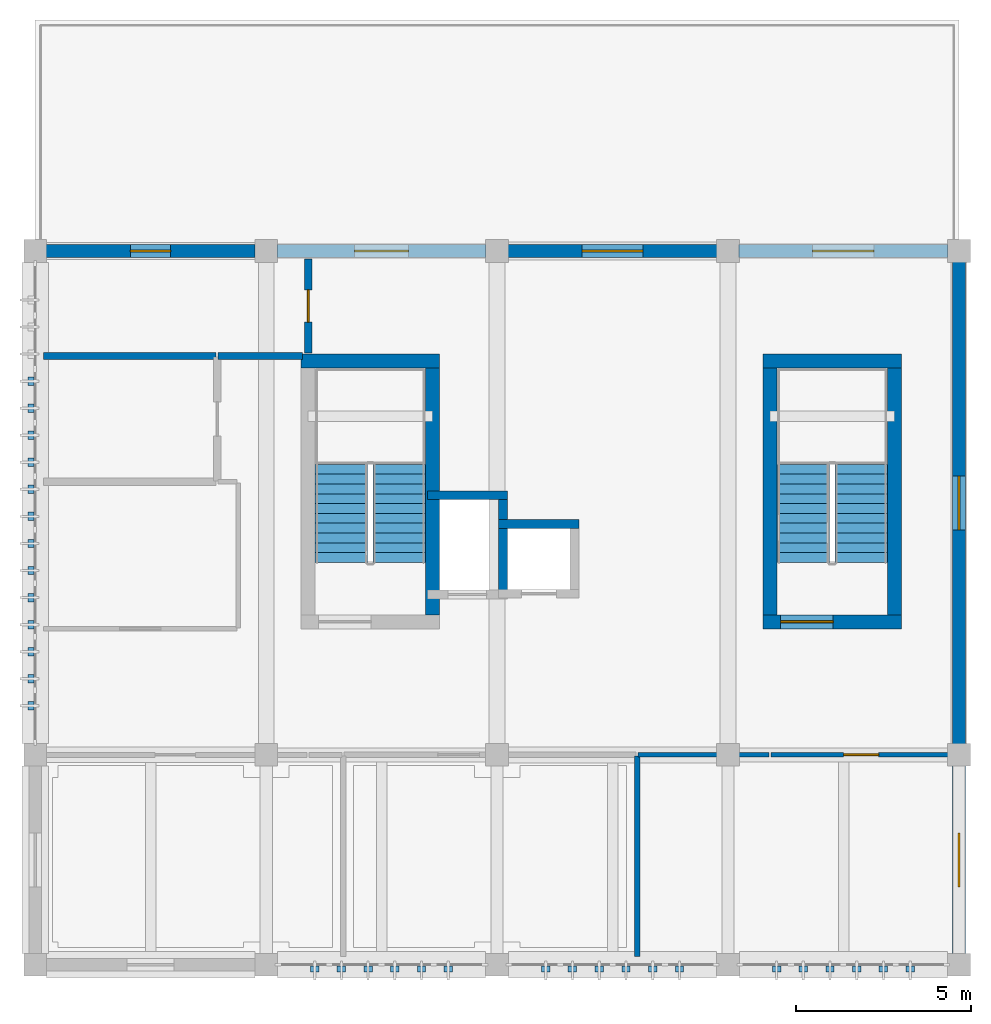
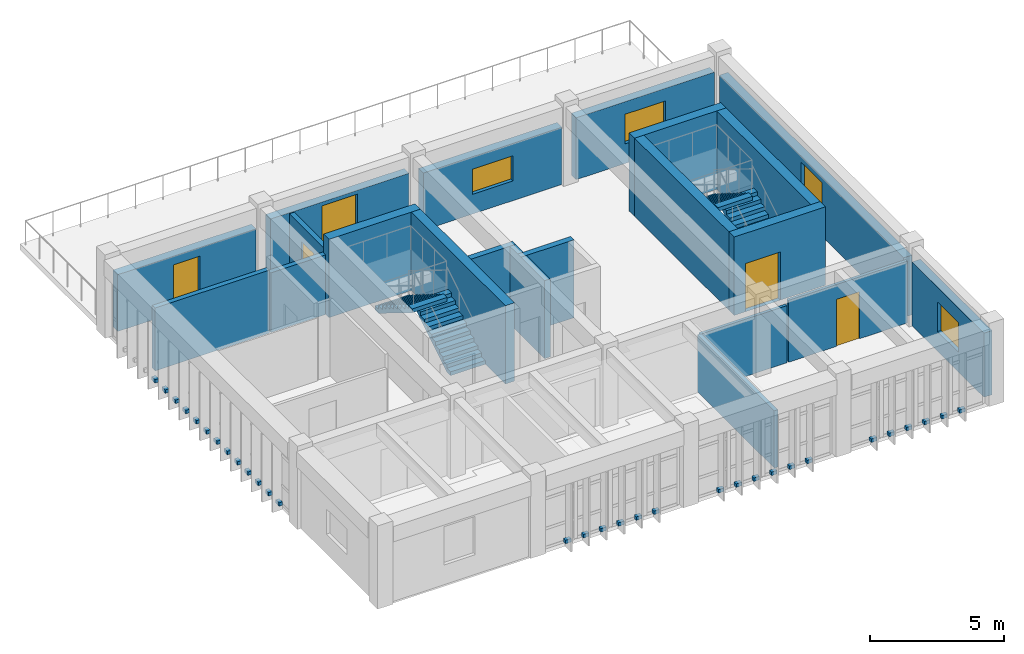
# One storey, part 5 of 8: 31 discrete accessories, 21 walls, 5 windows, 4 doors, 4 stair flights, 9 openings, 2 elements without a shape of their own.
"""IFC4 building model written with IfcOpenShell, lengths in metres."""

from ifc_helpers import new_model, si_unit, direction, frame, frame_2d, origin, origin_2d, place, context, subcontext, project, spatial, polyline, rectangle, outline, extrude, material, layer, layer_set, type_object, element, fill, aggregate, save


model = new_model("IFC4")

# Units and contexts
model_context = context("Model", 3, precision=1e-05, world=origin(), true_north=direction((0.0, 1.0)))
body_context = subcontext(model_context, "Body", "Model", "MODEL_VIEW")
ifc_project = project(units=[si_unit("LENGTHUNIT", "METRE"), si_unit("AREAUNIT", "SQUARE_METRE"), si_unit("VOLUMEUNIT", "CUBIC_METRE"), si_unit("PLANEANGLEUNIT", "RADIAN"), si_unit("MASSUNIT", "GRAM", prefix="KILO")], contexts=[model_context])

# Site, building, storey
site_placement = place(None, origin())
site = spatial("IfcSite", under=ifc_project, at=site_placement, CompositionType="ELEMENT")
building_placement = place(site_placement, origin())
building = spatial("IfcBuilding", under=site, at=building_placement, Name="Miralva Faculty of Natural Sciences", CompositionType="ELEMENT")
storey_placement = place(building_placement, frame((0.0, 0.0, 36.800048828125)))
storey = spatial("IfcBuildingStorey", under=building, at=storey_placement, Name="L08", CompositionType="ELEMENT", Elevation=36.800048828125)

# Walls
ifc_material_1 = material(Name="Concrete C50/60", Category="concrete")
ifc_layer_1 = layer(ifc_material_1, 0.39990234375, Name="WL-CW01")
ifc_layer_set_1 = layer_set([ifc_layer_1], Name="Concrete C50/60")
wall_type_1 = type_object("IfcWallType", Name="WL-CW01", PredefinedType="SHEAR", material=ifc_layer_set_1)
wall_1_placement = place(storey_placement, frame((10.60009765625, 20.25, 0.0), z_axis=(0.0, 0.0, 1.0), x_axis=(1.0, 0.0, 0.0)))
element("IfcWall", 1, at=wall_1_placement, inside=storey, type_object=wall_type_1, Name="Core C1 shear wall north L08", PredefinedType="SHEAR", context=body_context, shape_type="SweptSolid", body=[
    extrude(rectangle(XDim=3.949951171875, YDim=0.39990234375, at=frame_2d((1.97509765625, 0.0))), origin(), (0.0, 0.0, 1.0), 3.579833984375),
])
wall_2_placement = place(storey_placement, frame((14.35009765625, 13.0, 0.0), z_axis=(0.0, 0.0, 1.0), x_axis=(0.0, 1.0, 0.0)))
element("IfcWall", 2, at=wall_2_placement, inside=storey, type_object=wall_type_1, Name="Core C1 shear wall east L08", PredefinedType="SHEAR", context=body_context, shape_type="SweptSolid", body=[
    extrude(rectangle(XDim=7.050048828125, YDim=0.39990234375, at=frame_2d((3.52490234375, 0.0))), origin(), (0.0, 0.0, 1.0), 3.579833984375),
])

# Wall, opening, door
wall_3_placement = place(storey_placement, frame((23.800048828125, 12.800048828125, 0.0), z_axis=(0.0, 0.0, 1.0), x_axis=(1.0, 0.0, 0.0)))
wall_3 = element("IfcWall", 3, at=wall_3_placement, inside=storey, type_object=wall_type_1, Name="Core C1B shear wall south L08", PredefinedType="SHEAR", context=body_context, shape_type="SweptSolid", body=[
    extrude(rectangle(XDim=3.949951171875, YDim=0.39990234375, at=frame_2d((1.97509765625, 0.0))), origin(), (0.0, 0.0, 1.0), 3.579833984375),
])
opening_1_placement = place(wall_3_placement, frame((0.5, 0.0, 0.0)))
opening_1 = element("IfcOpeningElement", 4, at=opening_1_placement, cuts=wall_3, Name="Opening D-11", PredefinedType="OPENING", context=body_context, shape_type="SweptSolid", body=[
    extrude(rectangle(XDim=1.5, YDim=2.199951171875, at=frame_2d((0.75, 1.10009765625))), frame((0.0, 0.2099609375, 0.0), z_axis=(0.0, -1.0, 0.0), x_axis=(1.0, 0.0, 0.0)), (0.0, 0.0, 1.0), 0.419921875),
])
ifc_material_2 = material(Name="Galvanised steel", Category="steel")
door_type_1 = type_object("IfcDoorType", Name="DR-DI11", OperationType="DOUBLE_DOOR_SINGLE_SWING", PredefinedType="DOOR", material=ifc_material_2)
door_1_placement = place(opening_1_placement, frame((1.5, 0.0, 0.0), z_axis=(0.0, 0.0, 1.0), x_axis=(-1.0, 0.0, 0.0)))
door_1 = element("IfcDoor", 5, at=door_1_placement, inside=storey, type_object=door_type_1, Name="Protected exit stair door Core C1B L08", OperationType="DOUBLE_DOOR_SINGLE_SWING", OverallHeight=2.199951171875, OverallWidth=1.5, PredefinedType="DOOR", context=body_context, shape_type="SweptSolid", body=[
    extrude(rectangle(XDim=1.5, YDim=2.199951171875, at=frame_2d((0.75, 1.10009765625))), frame((0.0, 0.02490234375, 0.0), z_axis=(0.0, -1.0, 0.0), x_axis=(1.0, 0.0, 0.0)), (0.0, 0.0, 1.0), 0.050048828125),
])
fill(opening_1, door_1)

# Walls
wall_4_placement = place(storey_placement, frame((23.800048828125, 20.25, 0.0), z_axis=(0.0, 0.0, 1.0), x_axis=(1.0, 0.0, 0.0)))
element("IfcWall", 6, at=wall_4_placement, inside=storey, type_object=wall_type_1, Name="Core C1B shear wall north L08", PredefinedType="SHEAR", context=body_context, shape_type="SweptSolid", body=[
    extrude(rectangle(XDim=3.949951171875, YDim=0.39990234375, at=frame_2d((1.97509765625, 0.0))), origin(), (0.0, 0.0, 1.0), 3.579833984375),
])
for number, where, z_axis, x_axis, name in (
    (7, (24.0, 13.0, 0.0), (0.0, 0.0, 1.0), (0.0, 1.0, 0.0), "Core C1B shear wall west L08"),
    (8, (27.550048828125, 13.0, 0.0), (0.0, 0.0, 1.0), (0.0, 1.0, 0.0), "Core C1B shear wall east L08"),
):
    element("IfcWall", number, at=place(storey_placement, frame(where, z_axis=z_axis, x_axis=x_axis)), inside=storey, type_object=wall_type_1, Name=name, PredefinedType="SHEAR", context=body_context, shape_type="SweptSolid", body=[
        extrude(rectangle(XDim=7.050048828125, YDim=0.39990234375, at=frame_2d((3.52490234375, 0.0))), origin(), (0.0, 0.0, 1.0), 3.579833984375),
    ])
ifc_material_3 = material(Name="Concrete C40/50", Category="concrete")
ifc_layer_2 = layer(ifc_material_3, 0.25, Name="WL-CW04")
ifc_layer_set_2 = layer_set([ifc_layer_2], Name="Concrete C40/50")
wall_type_2 = type_object("IfcWallType", Name="WL-CW04", PredefinedType="SHEAR", material=ifc_layer_set_2)
wall_5_placement = place(storey_placement, frame((14.205078125, 16.419921875, 0.0), z_axis=(0.0, 0.0, 1.0), x_axis=(1.0, 0.0, 0.0)))
element("IfcWall", 9, at=wall_5_placement, inside=storey, type_object=wall_type_2, Name="Lift L-01 hoistway rear wall L08", PredefinedType="SHEAR", context=body_context, shape_type="SweptSolid", body=[
    extrude(rectangle(XDim=2.2900390625, YDim=0.25, at=frame_2d((1.14501953125, 0.0))), origin(), (0.0, 0.0, 1.0), 3.56005859375),
])
wall_6_placement = place(storey_placement, frame((16.3701171875, 13.705078125, 0.0), z_axis=(0.0, 0.0, 1.0), x_axis=(0.0, 1.0, 0.0)))
element("IfcWall", 10, at=wall_6_placement, inside=storey, type_object=wall_type_2, Name="Lift L-01 hoistway E wall L08", PredefinedType="SHEAR", context=body_context, shape_type="SweptSolid", body=[
    extrude(rectangle(XDim=2.58984375, YDim=0.25, at=frame_2d((1.294921875, 0.0))), origin(), (0.0, 0.0, 1.0), 3.56005859375),
])
wall_7_placement = place(storey_placement, frame((16.2451171875, 15.594970703125, 0.0), z_axis=(0.0, 0.0, 1.0), x_axis=(1.0, 0.0, 0.0)))
element("IfcWall", 11, at=wall_7_placement, inside=storey, type_object=wall_type_2, Name="Lift L-02 hoistway rear wall L08", PredefinedType="SHEAR", context=body_context, shape_type="SweptSolid", body=[
    extrude(rectangle(XDim=2.289794921875, YDim=0.25, at=frame_2d((1.14501953125, 0.0))), origin(), (0.0, 0.0, 1.0), 3.56005859375),
])
ifc_material_4 = material(Name="Gypsum plasterboard")
ifc_layer_3 = layer(ifc_material_4, 0.159912109375, Name="WL-PT03")
ifc_layer_set_3 = layer_set([ifc_layer_3], Name="Gypsum plasterboard")
wall_type_3 = type_object("IfcWallType", Name="WL-PT03", PredefinedType="PARTITIONING", material=ifc_layer_set_3)
wall_8_placement = place(storey_placement, frame((20.199951171875, 3.22998046875, 0.0), z_axis=(0.0, 0.0, 1.0), x_axis=(0.0, 1.0, 0.0)))
element("IfcWall", 12, at=wall_8_placement, inside=storey, type_object=wall_type_3, Name="Interior partition PT-03 L08-530", PredefinedType="PARTITIONING", context=body_context, shape_type="SweptSolid", body=[
    extrude(rectangle(XDim=5.739990234375, YDim=0.159912109375, at=frame_2d((2.8701171875, 0.0))), origin(), (0.0, 0.0, 1.0), 2.614990234375),
])

# Wall, opening, door
ifc_layer_4 = layer(ifc_material_4, 0.125, Name="WL-PT05")
ifc_layer_set_4 = layer_set([ifc_layer_4], Name="Gypsum plasterboard")
wall_type_4 = type_object("IfcWallType", Name="WL-PT05", PredefinedType="PARTITIONING", material=ifc_layer_set_4)
wall_9_placement = place(storey_placement, frame((24.030029296875, 9.0, 0.0), z_axis=(0.0, 0.0, 1.0), x_axis=(1.0, 0.0, 0.0)))
wall_9 = element("IfcWall", 13, at=wall_9_placement, inside=storey, type_object=wall_type_4, Name="Interior partition PT-05 L08-532", PredefinedType="PARTITIONING", context=body_context, shape_type="SweptSolid", body=[
    extrude(rectangle(XDim=5.139892578125, YDim=0.125, at=frame_2d((2.56982421875, 0.0))), origin(), (0.0, 0.0, 1.0), 2.824951171875),
])
opening_2_placement = place(wall_9_placement, frame((2.070068359375, 0.0, 0.0)))
opening_2 = element("IfcOpeningElement", 14, at=opening_2_placement, cuts=wall_9, Name="Opening D-25", PredefinedType="OPENING", context=body_context, shape_type="SweptSolid", body=[
    extrude(rectangle(XDim=1.0, YDim=2.14990234375, at=frame_2d((0.5, 1.074951171875))), frame((0.0, 0.072509765625, 0.0), z_axis=(0.0, -1.0, 0.0), x_axis=(1.0, 0.0, 0.0)), (0.0, 0.0, 1.0), 0.14501953125),
])
ifc_material_5 = material(Name="Anodised aluminium", Category="aluminium")
door_type_2 = type_object("IfcDoorType", Name="DR-DI25", OperationType="NOTDEFINED", PredefinedType="DOOR", material=ifc_material_5)
door_2_placement = place(opening_2_placement, origin())
door_2 = element("IfcDoor", 15, at=door_2_placement, inside=storey, type_object=door_type_2, Name="Interior door D-25 L08-200", OperationType="SINGLE_SWING_RIGHT", OverallHeight=2.14990234375, OverallWidth=1.0, PredefinedType="DOOR", context=body_context, shape_type="SweptSolid", body=[
    extrude(rectangle(XDim=1.0, YDim=2.14990234375, at=frame_2d((0.5, 1.074951171875))), frame((0.0, 0.02490234375, 0.0), z_axis=(0.0, -1.0, 0.0), x_axis=(1.0, 0.0, 0.0)), (0.0, 0.0, 1.0), 0.050048828125),
])
fill(opening_2, door_2)

# Walls
wall_10_placement = place(storey_placement, frame((20.22998046875, 9.0, 0.0), z_axis=(0.0, 0.0, 1.0), x_axis=(1.0, 0.0, 0.0)))
element("IfcWall", 16, at=wall_10_placement, inside=storey, type_object=wall_type_4, Name="Interior partition PT-05 L08-533", PredefinedType="PARTITIONING", context=body_context, shape_type="SweptSolid", body=[
    extrude(rectangle(XDim=3.739990234375, YDim=0.125, at=frame_2d((1.8701171875, 0.0))), origin(), (0.0, 0.0, 1.0), 2.614990234375),
])
ifc_layer_5 = layer(ifc_material_4, 0.2099609375, Name="WL-PT06")
ifc_layer_set_5 = layer_set([ifc_layer_5], Name="Gypsum plasterboard")
wall_type_5 = type_object("IfcWallType", Name="WL-PT06", PredefinedType="PLUMBINGWALL", material=ifc_layer_set_5)
wall_11_placement = place(storey_placement, frame((3.22998046875, 20.39990234375, 0.0), z_axis=(0.0, 0.0, 1.0), x_axis=(1.0, 0.0, 0.0)))
element("IfcWall", 17, at=wall_11_placement, inside=storey, type_object=wall_type_5, Name="Interior partition PT-06 L08-538", PredefinedType="PLUMBINGWALL", context=body_context, shape_type="SweptSolid", body=[
    extrude(rectangle(XDim=4.93994140625, YDim=0.2099609375, at=frame_2d((2.469970703125, 0.0))), origin(), (0.0, 0.0, 1.0), 2.875),
])
wall_12_placement = place(storey_placement, frame((8.22998046875, 20.39990234375, 0.0), z_axis=(0.0, 0.0, 1.0), x_axis=(1.0, 0.0, 0.0)))
element("IfcWall", 18, at=wall_12_placement, inside=storey, type_object=wall_type_5, Name="Interior partition PT-06 L08-540", PredefinedType="PLUMBINGWALL", context=body_context, shape_type="SweptSolid", body=[
    extrude(rectangle(XDim=2.407958984375, YDim=0.2099609375, at=frame_2d((1.2041015625, 0.0))), origin(), (0.0, 0.0, 1.0), 2.724853515625),
])

# Wall, opening, door
wall_13_placement = place(storey_placement, frame((10.800048828125, 20.47998046875, 0.0), z_axis=(0.0, 0.0, 1.0), x_axis=(0.0, 1.0, 0.0)))
wall_13 = element("IfcWall", 19, at=wall_13_placement, inside=storey, type_object=wall_type_5, Name="Interior partition PT-06 L08-541", PredefinedType="PLUMBINGWALL", context=body_context, shape_type="SweptSolid", body=[
    extrude(rectangle(XDim=2.68994140625, YDim=0.2099609375, at=frame_2d((1.344970703125, 0.0))), origin(), (0.0, 0.0, 1.0), 2.824951171875),
])
opening_3_placement = place(wall_13_placement, frame((0.885009765625, 0.0, 0.0)))
opening_3 = element("IfcOpeningElement", 20, at=opening_3_placement, cuts=wall_13, Name="Opening D-27", PredefinedType="OPENING", context=body_context, shape_type="SweptSolid", body=[
    extrude(rectangle(XDim=0.919921875, YDim=2.10009765625, at=frame_2d((0.4599609375, 1.050048828125))), frame((0.0, 0.114990234375, 0.0), z_axis=(0.0, -1.0, 0.0), x_axis=(1.0, 0.0, 0.0)), (0.0, 0.0, 1.0), 0.22998046875),
])
door_type_3 = type_object("IfcDoorType", Name="DR-DI27", OperationType="NOTDEFINED", PredefinedType="DOOR", material=ifc_material_5)
door_3_placement = place(opening_3_placement, origin())
door_3 = element("IfcDoor", 21, at=door_3_placement, inside=storey, type_object=door_type_3, Name="Interior door D-27 L08-203", OperationType="SINGLE_SWING_LEFT", OverallHeight=2.10009765625, OverallWidth=0.919921875, PredefinedType="DOOR", context=body_context, shape_type="SweptSolid", body=[
    extrude(rectangle(XDim=0.919921875, YDim=2.10009765625, at=frame_2d((0.4599609375, 1.050048828125))), frame((0.0, 0.02490234375, 0.0), z_axis=(0.0, -1.0, 0.0), x_axis=(1.0, 0.0, 0.0)), (0.0, 0.0, 1.0), 0.050048828125),
])
fill(opening_3, door_3)

# Wall, opening, window
ifc_material_6 = material(Name="Volcanic tuff architectural stone", Category="masonry")
ifc_layer_6 = layer(ifc_material_6, 0.360107421875, Name="WL-WT01")
ifc_layer_set_6 = layer_set([ifc_layer_6], Name="Volcanic tuff architectural stone")
wall_type_6 = type_object("IfcWallType", Name="WL-WT01", PredefinedType="SOLIDWALL", material=ifc_layer_set_6)
wall_14_placement = place(storey_placement, frame((29.39990234375, 3.304931640625, 0.0), z_axis=(0.0, 0.0, 1.0), x_axis=(0.0, 1.0, 0.0)))
wall_14 = element("IfcWall", 22, at=wall_14_placement, inside=storey, type_object=wall_type_6, Name="Exterior wall L08-128", PredefinedType="SOLIDWALL", context=body_context, shape_type="SweptSolid", body=[
    extrude(rectangle(XDim=5.380126953125, YDim=0.360107421875, at=frame_2d((2.68994140625, 0.0))), origin(), (0.0, 0.0, 1.0), 2.925048828125),
])
opening_4_placement = place(wall_14_placement, frame((1.9150390625, 0.0, 0.89990234375)))
opening_4 = element("IfcOpeningElement", 23, at=opening_4_placement, cuts=wall_14, Name="Opening W-58", PredefinedType="OPENING", context=body_context, shape_type="SweptSolid", body=[
    extrude(rectangle(XDim=1.550048828125, YDim=1.35009765625, at=frame_2d((0.77490234375, 0.675048828125))), frame((0.0, 0.18994140625, 0.0), z_axis=(0.0, -1.0, 0.0), x_axis=(1.0, 0.0, 0.0)), (0.0, 0.0, 1.0), 0.380126953125),
])
ifc_material_7 = material(Name="Laminated solar-control glass", Category="glass")
window_type_1 = type_object("IfcWindowType", Name="WN-W58", PartitioningType="DOUBLE_PANEL_VERTICAL", PredefinedType="WINDOW", material=ifc_material_7)
window_1_placement = place(opening_4_placement, frame((1.550048828125, 0.0, 0.0), z_axis=(0.0, 0.0, 1.0), x_axis=(-1.0, 0.0, 0.0)))
window_1 = element("IfcWindow", 24, at=window_1_placement, inside=storey, type_object=window_type_1, Name="Window W-58 L08-72", OverallHeight=1.35009765625, OverallWidth=1.550048828125, PartitioningType="DOUBLE_PANEL_VERTICAL", PredefinedType="WINDOW", context=body_context, shape_type="SweptSolid", body=[
    extrude(rectangle(XDim=1.550048828125, YDim=1.35009765625, at=frame_2d((0.77490234375, 0.675048828125))), frame((0.0, 0.030029296875, 0.0), z_axis=(0.0, -1.0, 0.0), x_axis=(1.0, 0.0, 0.0)), (0.0, 0.0, 1.0), 0.06005859375),
])
fill(opening_4, window_1)

wall_15_placement = place(storey_placement, frame((29.39990234375, 9.31494140625, 0.0), z_axis=(0.0, 0.0, 1.0), x_axis=(0.0, 1.0, 0.0)))
wall_15 = element("IfcWall", 25, at=wall_15_placement, inside=storey, type_object=wall_type_6, Name="Exterior wall L08-129", PredefinedType="SOLIDWALL", context=body_context, shape_type="SweptSolid", body=[
    extrude(rectangle(XDim=13.77001953125, YDim=0.360107421875, at=frame_2d((6.885009765625, 0.0))), origin(), (0.0, 0.0, 1.0), 2.724853515625),
])
opening_5_placement = place(wall_15_placement, frame((6.110107421875, 0.0, 0.89990234375)))
opening_5 = element("IfcOpeningElement", 26, at=opening_5_placement, cuts=wall_15, Name="Opening W-59", PredefinedType="OPENING", context=body_context, shape_type="SweptSolid", body=[
    extrude(rectangle(XDim=1.550048828125, YDim=1.550048828125, at=frame_2d((0.77490234375, 0.77490234375))), frame((0.0, 0.18994140625, 0.0), z_axis=(0.0, -1.0, 0.0), x_axis=(1.0, 0.0, 0.0)), (0.0, 0.0, 1.0), 0.380126953125),
])
window_type_2 = type_object("IfcWindowType", Name="WN-W59", PartitioningType="DOUBLE_PANEL_VERTICAL", PredefinedType="WINDOW", material=ifc_material_7)
window_2_placement = place(opening_5_placement, frame((1.550048828125, 0.0, 0.0), z_axis=(0.0, 0.0, 1.0), x_axis=(-1.0, 0.0, 0.0)))
window_2 = element("IfcWindow", 27, at=window_2_placement, inside=storey, type_object=window_type_2, Name="Window W-59 L08-73", OverallHeight=1.550048828125, OverallWidth=1.550048828125, PartitioningType="DOUBLE_PANEL_VERTICAL", PredefinedType="WINDOW", context=body_context, shape_type="SweptSolid", body=[
    extrude(rectangle(XDim=1.550048828125, YDim=1.550048828125, at=frame_2d((0.77490234375, 0.77490234375))), frame((0.0, 0.030029296875, 0.0), z_axis=(0.0, -1.0, 0.0), x_axis=(1.0, 0.0, 0.0)), (0.0, 0.0, 1.0), 0.06005859375),
])
fill(opening_5, window_2)

# Wall, opening, door
wall_16_placement = place(storey_placement, frame((3.304931640625, 23.39990234375, 0.0), z_axis=(0.0, 0.0, 1.0), x_axis=(1.0, 0.0, 0.0)))
wall_16 = element("IfcWall", 28, at=wall_16_placement, inside=storey, type_object=wall_type_6, Name="Exterior wall L08-130", PredefinedType="SOLIDWALL", context=body_context, shape_type="SweptSolid", body=[
    extrude(rectangle(XDim=5.97998046875, YDim=0.360107421875, at=frame_2d((2.989990234375, 0.0))), origin(), (0.0, 0.0, 1.0), 2.594970703125),
])
opening_6_placement = place(wall_16_placement, frame((2.4150390625, 0.0, 0.0)))
opening_6 = element("IfcOpeningElement", 29, at=opening_6_placement, cuts=wall_16, Name="Opening D-05", PredefinedType="OPENING", context=body_context, shape_type="SweptSolid", body=[
    extrude(rectangle(XDim=1.14990234375, YDim=2.199951171875, at=frame_2d((0.574951171875, 1.10009765625))), frame((0.0, 0.18994140625, 0.0), z_axis=(0.0, -1.0, 0.0), x_axis=(1.0, 0.0, 0.0)), (0.0, 0.0, 1.0), 0.380126953125),
])
door_type_4 = type_object("IfcDoorType", Name="DR-DE05", OperationType="NOTDEFINED", PredefinedType="DOOR", material=ifc_material_5)
door_4_placement = place(opening_6_placement, origin())
door_4 = element("IfcDoor", 30, at=door_4_placement, inside=storey, type_object=door_type_4, Name="Exterior pedestrian exit door D-05 L08-13", OperationType="SINGLE_SWING_RIGHT", OverallHeight=2.199951171875, OverallWidth=1.14990234375, PredefinedType="DOOR", context=body_context, shape_type="SweptSolid", body=[
    extrude(rectangle(XDim=1.14990234375, YDim=2.199951171875, at=frame_2d((0.574951171875, 1.10009765625))), frame((0.0, 0.02490234375, 0.0), z_axis=(0.0, -1.0, 0.0), x_axis=(1.0, 0.0, 0.0)), (0.0, 0.0, 1.0), 0.050048828125),
])
fill(opening_6, door_4)

# Wall, opening, window
wall_17_placement = place(storey_placement, frame((9.905029296875, 23.39990234375, 0.0), z_axis=(0.0, 0.0, 1.0), x_axis=(1.0, 0.0, 0.0)))
wall_17 = element("IfcWall", 31, at=wall_17_placement, inside=storey, type_object=wall_type_6, Name="Exterior wall L08-131", PredefinedType="SOLIDWALL", context=body_context, shape_type="SweptSolid", body=[
    extrude(rectangle(XDim=5.97998046875, YDim=0.360107421875, at=frame_2d((2.989990234375, 0.0))), origin(), (0.0, 0.0, 1.0), 2.824951171875),
])
opening_7_placement = place(wall_17_placement, frame((2.215087890625, 0.0, 0.89990234375)))
opening_7 = element("IfcOpeningElement", 32, at=opening_7_placement, cuts=wall_17, Name="Opening W-60", PredefinedType="OPENING", context=body_context, shape_type="SweptSolid", body=[
    extrude(rectangle(XDim=1.550048828125, YDim=1.75, at=frame_2d((0.77490234375, 0.875))), frame((0.0, 0.18994140625, 0.0), z_axis=(0.0, -1.0, 0.0), x_axis=(1.0, 0.0, 0.0)), (0.0, 0.0, 1.0), 0.380126953125),
])
window_type_3 = type_object("IfcWindowType", Name="WN-W60", PartitioningType="DOUBLE_PANEL_VERTICAL", PredefinedType="WINDOW", material=ifc_material_7)
window_3_placement = place(opening_7_placement, origin())
window_3 = element("IfcWindow", 33, at=window_3_placement, inside=storey, type_object=window_type_3, Name="Window W-60 L08-74", OverallHeight=1.75, OverallWidth=1.550048828125, PartitioningType="DOUBLE_PANEL_VERTICAL", PredefinedType="WINDOW", context=body_context, shape_type="SweptSolid", body=[
    extrude(rectangle(XDim=1.550048828125, YDim=1.75, at=frame_2d((0.77490234375, 0.875))), frame((0.0, 0.030029296875, 0.0), z_axis=(0.0, -1.0, 0.0), x_axis=(1.0, 0.0, 0.0)), (0.0, 0.0, 1.0), 0.06005859375),
])
fill(opening_7, window_3)

wall_18_placement = place(storey_placement, frame((16.5048828125, 23.39990234375, 0.0), z_axis=(0.0, 0.0, 1.0), x_axis=(1.0, 0.0, 0.0)))
wall_18 = element("IfcWall", 34, at=wall_18_placement, inside=storey, type_object=wall_type_6, Name="Exterior wall L08-132", PredefinedType="SOLIDWALL", context=body_context, shape_type="SweptSolid", body=[
    extrude(rectangle(XDim=5.990234375, YDim=0.360107421875, at=frame_2d((2.9951171875, 0.0))), origin(), (0.0, 0.0, 1.0), 2.614990234375),
])
opening_8_placement = place(wall_18_placement, frame((2.1201171875, 0.0, 0.89990234375)))
opening_8 = element("IfcOpeningElement", 35, at=opening_8_placement, cuts=wall_18, Name="Opening W-61", PredefinedType="OPENING", context=body_context, shape_type="SweptSolid", body=[
    extrude(rectangle(XDim=1.75, YDim=1.14990234375, at=frame_2d((0.875, 0.574951171875))), frame((0.0, 0.18994140625, 0.0), z_axis=(0.0, -1.0, 0.0), x_axis=(1.0, 0.0, 0.0)), (0.0, 0.0, 1.0), 0.380126953125),
])
window_type_4 = type_object("IfcWindowType", Name="WN-W61", PartitioningType="DOUBLE_PANEL_VERTICAL", PredefinedType="WINDOW", material=ifc_material_7)
window_4_placement = place(opening_8_placement, origin())
window_4 = element("IfcWindow", 36, at=window_4_placement, inside=storey, type_object=window_type_4, Name="Window W-61 L08-75", OverallHeight=1.14990234375, OverallWidth=1.75, PartitioningType="DOUBLE_PANEL_VERTICAL", PredefinedType="WINDOW", context=body_context, shape_type="SweptSolid", body=[
    extrude(rectangle(XDim=1.75, YDim=1.14990234375, at=frame_2d((0.875, 0.574951171875))), frame((0.0, 0.030029296875, 0.0), z_axis=(0.0, -1.0, 0.0), x_axis=(1.0, 0.0, 0.0)), (0.0, 0.0, 1.0), 0.06005859375),
])
fill(opening_8, window_4)

wall_19_placement = place(storey_placement, frame((23.10498046875, 23.39990234375, 0.0), z_axis=(0.0, 0.0, 1.0), x_axis=(1.0, 0.0, 0.0)))
wall_19 = element("IfcWall", 37, at=wall_19_placement, inside=storey, type_object=wall_type_6, Name="Exterior wall L08-133", PredefinedType="SOLIDWALL", context=body_context, shape_type="SweptSolid", body=[
    extrude(rectangle(XDim=5.97998046875, YDim=0.360107421875, at=frame_2d((2.989990234375, 0.0))), origin(), (0.0, 0.0, 1.0), 2.824951171875),
])
opening_9_placement = place(wall_19_placement, frame((2.114990234375, 0.0, 0.89990234375)))
opening_9 = element("IfcOpeningElement", 38, at=opening_9_placement, cuts=wall_19, Name="Opening W-62", PredefinedType="OPENING", context=body_context, shape_type="SweptSolid", body=[
    extrude(rectangle(XDim=1.75, YDim=1.35009765625, at=frame_2d((0.875, 0.675048828125))), frame((0.0, 0.18994140625, 0.0), z_axis=(0.0, -1.0, 0.0), x_axis=(1.0, 0.0, 0.0)), (0.0, 0.0, 1.0), 0.380126953125),
])
window_type_5 = type_object("IfcWindowType", Name="WN-W62", PartitioningType="DOUBLE_PANEL_VERTICAL", PredefinedType="WINDOW", material=ifc_material_7)
window_5_placement = place(opening_9_placement, origin())
window_5 = element("IfcWindow", 39, at=window_5_placement, inside=storey, type_object=window_type_5, Name="Window W-62 L08-76", OverallHeight=1.35009765625, OverallWidth=1.75, PartitioningType="DOUBLE_PANEL_VERTICAL", PredefinedType="WINDOW", context=body_context, shape_type="SweptSolid", body=[
    extrude(rectangle(XDim=1.75, YDim=1.35009765625, at=frame_2d((0.875, 0.675048828125))), frame((0.0, 0.030029296875, 0.0), z_axis=(0.0, -1.0, 0.0), x_axis=(1.0, 0.0, 0.0)), (0.0, 0.0, 1.0), 0.06005859375),
])
fill(opening_9, window_5)

# Stair, stair flights
stair_type = type_object("IfcStairType", Name="ST-CORE-380", PredefinedType="HALF_TURN_STAIR", material=ifc_material_3)
stair_1_placement = place(storey_placement, origin())
stair_1 = element("IfcStair", 40, at=stair_1_placement, inside=storey, type_object=stair_type, Name="Exit Stair Core C1 (ST-04) L08", PredefinedType="HALF_TURN_STAIR")
ifc_layer_7 = layer(ifc_material_3, 0.159912109375, Name="SFL-160-172")
ifc_layer_set_7 = layer_set([ifc_layer_7], Name="Concrete C40/50")
stair_flight_type = type_object("IfcStairFlightType", Name="SFL-160-172", PredefinedType="STRAIGHT", material=ifc_layer_set_7)
stair_flight_1_placement = place(storey_placement, frame((13.39990234375, 14.5, 0.0), z_axis=(0.0, 0.0, 1.0), x_axis=(0.0, 1.0, 0.0)))
stair_flight_1 = element("IfcStairFlight", 41, at=stair_flight_1_placement, type_object=stair_flight_type, Name="ST-04 flight 1", NumberOfRisers=11, NumberOfTreads=10, PredefinedType="STRAIGHT", RiserHeight=0.172727273, TreadLength=0.28, context=body_context, shape_type="SweptSolid", body=[
    extrude(outline(polyline([(0.0, 0.0), (0.0, 0.172607421875), (0.280029296875, 0.172607421875), (0.280029296875, 0.345458984375), (0.56005859375, 0.345458984375), (0.56005859375, 0.51806640625), (0.840087890625, 0.51806640625), (0.840087890625, 0.69091796875), (1.1201171875, 0.69091796875), (1.1201171875, 0.863525390625), (1.39990234375, 0.863525390625), (1.39990234375, 1.036376953125), (1.679931640625, 1.036376953125), (1.679931640625, 1.208984375), (1.9599609375, 1.208984375), (1.9599609375, 1.3818359375), (2.239990234375, 1.3818359375), (2.239990234375, 1.554443359375), (2.52001953125, 1.554443359375), (2.52001953125, 1.727294921875), (2.800048828125, 1.727294921875), (2.800048828125, 1.89990234375), (2.800048828125, 1.551025390625), (0.285400390625, 0.0), (0.0, 0.0)])), frame((0.0, 0.75, 0.0), z_axis=(0.0, -1.0, 0.0), x_axis=(1.0, 0.0, 0.0)), (0.0, 0.0, 1.0), 1.5),
])
stair_flight_2_placement = place(storey_placement, frame((11.75, 17.300048828125, 1.89990234375), z_axis=(0.0, 0.0, 1.0), x_axis=(0.0, -1.0, 0.0)))
stair_flight_2 = element("IfcStairFlight", 42, at=stair_flight_2_placement, type_object=stair_flight_type, Name="ST-04 flight 2", NumberOfRisers=11, NumberOfTreads=10, PredefinedType="STRAIGHT", RiserHeight=0.172727273, TreadLength=0.28, context=body_context, shape_type="SweptSolid", body=[
    extrude(outline(polyline([(0.0, 0.0), (0.0, 0.172607421875), (0.280029296875, 0.172607421875), (0.280029296875, 0.345458984375), (0.56005859375, 0.345458984375), (0.56005859375, 0.51806640625), (0.840087890625, 0.51806640625), (0.840087890625, 0.69091796875), (1.1201171875, 0.69091796875), (1.1201171875, 0.863525390625), (1.39990234375, 0.863525390625), (1.39990234375, 1.036376953125), (1.679931640625, 1.036376953125), (1.679931640625, 1.208984375), (1.9599609375, 1.208984375), (1.9599609375, 1.3818359375), (2.239990234375, 1.3818359375), (2.239990234375, 1.554443359375), (2.52001953125, 1.554443359375), (2.52001953125, 1.727294921875), (2.800048828125, 1.727294921875), (2.800048828125, 1.89990234375), (2.800048828125, 1.551025390625), (0.285400390625, 0.0), (0.0, 0.0)])), frame((0.0, 0.75, 0.0), z_axis=(0.0, -1.0, 0.0), x_axis=(1.0, 0.0, 0.0)), (0.0, 0.0, 1.0), 1.5),
])
aggregate(stair_1, [stair_flight_1, stair_flight_2])

stair_2_placement = place(storey_placement, origin())
stair_2 = element("IfcStair", 43, at=stair_2_placement, inside=storey, type_object=stair_type, Name="Exit Stair Core C1B (ST-04) L08", PredefinedType="HALF_TURN_STAIR")
stair_flight_3_placement = place(storey_placement, frame((26.60009765625, 14.5, 0.0), z_axis=(0.0, 0.0, 1.0), x_axis=(0.0, 1.0, 0.0)))
stair_flight_3 = element("IfcStairFlight", 44, at=stair_flight_3_placement, type_object=stair_flight_type, Name="ST-04 flight 1", NumberOfRisers=11, NumberOfTreads=10, PredefinedType="STRAIGHT", RiserHeight=0.172727273, TreadLength=0.28, context=body_context, shape_type="SweptSolid", body=[
    extrude(outline(polyline([(0.0, 0.0), (0.0, 0.172607421875), (0.280029296875, 0.172607421875), (0.280029296875, 0.345458984375), (0.56005859375, 0.345458984375), (0.56005859375, 0.51806640625), (0.840087890625, 0.51806640625), (0.840087890625, 0.69091796875), (1.1201171875, 0.69091796875), (1.1201171875, 0.863525390625), (1.39990234375, 0.863525390625), (1.39990234375, 1.036376953125), (1.679931640625, 1.036376953125), (1.679931640625, 1.208984375), (1.9599609375, 1.208984375), (1.9599609375, 1.3818359375), (2.239990234375, 1.3818359375), (2.239990234375, 1.554443359375), (2.52001953125, 1.554443359375), (2.52001953125, 1.727294921875), (2.800048828125, 1.727294921875), (2.800048828125, 1.89990234375), (2.800048828125, 1.551025390625), (0.285400390625, 0.0), (0.0, 0.0)])), frame((0.0, 0.75, 0.0), z_axis=(0.0, -1.0, 0.0), x_axis=(1.0, 0.0, 0.0)), (0.0, 0.0, 1.0), 1.5),
])
stair_flight_4_placement = place(storey_placement, frame((24.949951171875, 17.300048828125, 1.89990234375), z_axis=(0.0, 0.0, 1.0), x_axis=(0.0, -1.0, 0.0)))
stair_flight_4 = element("IfcStairFlight", 45, at=stair_flight_4_placement, type_object=stair_flight_type, Name="ST-04 flight 2", NumberOfRisers=11, NumberOfTreads=10, PredefinedType="STRAIGHT", RiserHeight=0.172727273, TreadLength=0.28, context=body_context, shape_type="SweptSolid", body=[
    extrude(outline(polyline([(0.0, 0.0), (0.0, 0.172607421875), (0.280029296875, 0.172607421875), (0.280029296875, 0.345458984375), (0.56005859375, 0.345458984375), (0.56005859375, 0.51806640625), (0.840087890625, 0.51806640625), (0.840087890625, 0.69091796875), (1.1201171875, 0.69091796875), (1.1201171875, 0.863525390625), (1.39990234375, 0.863525390625), (1.39990234375, 1.036376953125), (1.679931640625, 1.036376953125), (1.679931640625, 1.208984375), (1.9599609375, 1.208984375), (1.9599609375, 1.3818359375), (2.239990234375, 1.3818359375), (2.239990234375, 1.554443359375), (2.52001953125, 1.554443359375), (2.52001953125, 1.727294921875), (2.800048828125, 1.727294921875), (2.800048828125, 1.89990234375), (2.800048828125, 1.551025390625), (0.285400390625, 0.0), (0.0, 0.0)])), frame((0.0, 0.75, 0.0), z_axis=(0.0, -1.0, 0.0), x_axis=(1.0, 0.0, 0.0)), (0.0, 0.0, 1.0), 1.5),
])
aggregate(stair_2, [stair_flight_3, stair_flight_4])

# Discrete accessories
ifc_material_8 = material(Name="Steel S355", Category="steel")
discrete_accessory_type = type_object("IfcDiscreteAccessoryType", Name="ACC-BRK01", PredefinedType="BRACKET", material=ifc_material_8)
for number, where, z_axis, x_axis, name in (
    (46, (10.98681640625, 2.8798828125, 0.0400390625), (0.0, 0.0, 1.0), (0.0, -1.0, 0.0), "Solar fin bracket L08-434"),
    (47, (11.75, 2.8798828125, 0.0400390625), (0.0, 0.0, 1.0), (0.0, -1.0, 0.0), "Solar fin bracket L08-435"),
    (48, (12.51318359375, 2.8798828125, 0.0400390625), (0.0, 0.0, 1.0), (0.0, -1.0, 0.0), "Solar fin bracket L08-436"),
    (49, (13.276611328125, 2.8798828125, 0.0400390625), (0.0, 0.0, 1.0), (0.0, -1.0, 0.0), "Solar fin bracket L08-437"),
    (50, (14.0400390625, 2.8798828125, 0.0400390625), (0.0, 0.0, 1.0), (0.0, -1.0, 0.0), "Solar fin bracket L08-438"),
    (51, (14.80322265625, 2.8798828125, 0.0400390625), (0.0, 0.0, 1.0), (0.0, -1.0, 0.0), "Solar fin bracket L08-439"),
    (52, (17.58740234375, 2.8798828125, 0.0400390625), (0.0, 0.0, 1.0), (0.0, -1.0, 0.0), "Solar fin bracket L08-440"),
    (53, (18.3525390625, 2.8798828125, 0.0400390625), (0.0, 0.0, 1.0), (0.0, -1.0, 0.0), "Solar fin bracket L08-441"),
    (54, (19.117431640625, 2.8798828125, 0.0400390625), (0.0, 0.0, 1.0), (0.0, -1.0, 0.0), "Solar fin bracket L08-442"),
    (55, (19.882568359375, 2.8798828125, 0.0400390625), (0.0, 0.0, 1.0), (0.0, -1.0, 0.0), "Solar fin bracket L08-443"),
    (56, (20.6474609375, 2.8798828125, 0.0400390625), (0.0, 0.0, 1.0), (0.0, -1.0, 0.0), "Solar fin bracket L08-444"),
    (57, (21.41259765625, 2.8798828125, 0.0400390625), (0.0, 0.0, 1.0), (0.0, -1.0, 0.0), "Solar fin bracket L08-445"),
    (58, (24.186767578125, 2.8798828125, 0.0400390625), (0.0, 0.0, 1.0), (0.0, -1.0, 0.0), "Solar fin bracket L08-446"),
    (59, (24.949951171875, 2.8798828125, 0.0400390625), (0.0, 0.0, 1.0), (0.0, -1.0, 0.0), "Solar fin bracket L08-447"),
    (60, (25.71337890625, 2.8798828125, 0.0400390625), (0.0, 0.0, 1.0), (0.0, -1.0, 0.0), "Solar fin bracket L08-448"),
    (61, (26.476806640625, 2.8798828125, 0.0400390625), (0.0, 0.0, 1.0), (0.0, -1.0, 0.0), "Solar fin bracket L08-449"),
    (62, (27.239990234375, 2.8798828125, 0.0400390625), (0.0, 0.0, 1.0), (0.0, -1.0, 0.0), "Solar fin bracket L08-450"),
    (63, (28.00341796875, 2.8798828125, 0.0400390625), (0.0, 0.0, 1.0), (0.0, -1.0, 0.0), "Solar fin bracket L08-451"),
    (64, (2.8798828125, 10.401611328125, 0.0400390625), (0.0, 0.0, 1.0), (-1.0, 0.0, 0.0), "Solar fin bracket L08-452"),
    (65, (2.8798828125, 11.1748046875, 0.0400390625), (0.0, 0.0, 1.0), (-1.0, 0.0, 0.0), "Solar fin bracket L08-453"),
    (66, (2.8798828125, 11.94775390625, 0.0400390625), (0.0, 0.0, 1.0), (-1.0, 0.0, 0.0), "Solar fin bracket L08-454"),
    (67, (2.8798828125, 12.720947265625, 0.0400390625), (0.0, 0.0, 1.0), (-1.0, 0.0, 0.0), "Solar fin bracket L08-455"),
    (68, (2.8798828125, 13.494140625, 0.0400390625), (0.0, 0.0, 1.0), (-1.0, 0.0, 0.0), "Solar fin bracket L08-456"),
    (69, (2.8798828125, 14.26708984375, 0.0400390625), (0.0, 0.0, 1.0), (-1.0, 0.0, 0.0), "Solar fin bracket L08-457"),
    (70, (2.8798828125, 15.040283203125, 0.0400390625), (0.0, 0.0, 1.0), (-1.0, 0.0, 0.0), "Solar fin bracket L08-458"),
    (71, (2.8798828125, 15.8134765625, 0.0400390625), (0.0, 0.0, 1.0), (-1.0, 0.0, 0.0), "Solar fin bracket L08-459"),
    (72, (2.8798828125, 16.586669921875, 0.0400390625), (0.0, 0.0, 1.0), (-1.0, 0.0, 0.0), "Solar fin bracket L08-460"),
    (73, (2.8798828125, 17.359619140625, 0.0400390625), (0.0, 0.0, 1.0), (-1.0, 0.0, 0.0), "Solar fin bracket L08-461"),
    (74, (2.8798828125, 18.1328125, 0.0400390625), (0.0, 0.0, 1.0), (-1.0, 0.0, 0.0), "Solar fin bracket L08-462"),
    (75, (2.8798828125, 18.906005859375, 0.0400390625), (0.0, 0.0, 1.0), (-1.0, 0.0, 0.0), "Solar fin bracket L08-463"),
    (76, (2.8798828125, 19.67919921875, 0.0400390625), (0.0, 0.0, 1.0), (-1.0, 0.0, 0.0), "Solar fin bracket L08-464"),
):
    element("IfcDiscreteAccessory", number, at=place(storey_placement, frame(where, z_axis=z_axis, x_axis=x_axis)), inside=storey, type_object=discrete_accessory_type, Name=name, PredefinedType="BRACKET", context=body_context, shape_type="SweptSolid", body=[
        extrude(rectangle(XDim=0.159912109375, YDim=0.239990234375, at=origin_2d()), origin(), (0.0, 0.0, 1.0), 0.159912109375),
    ])

save(model, "model.ifc")
